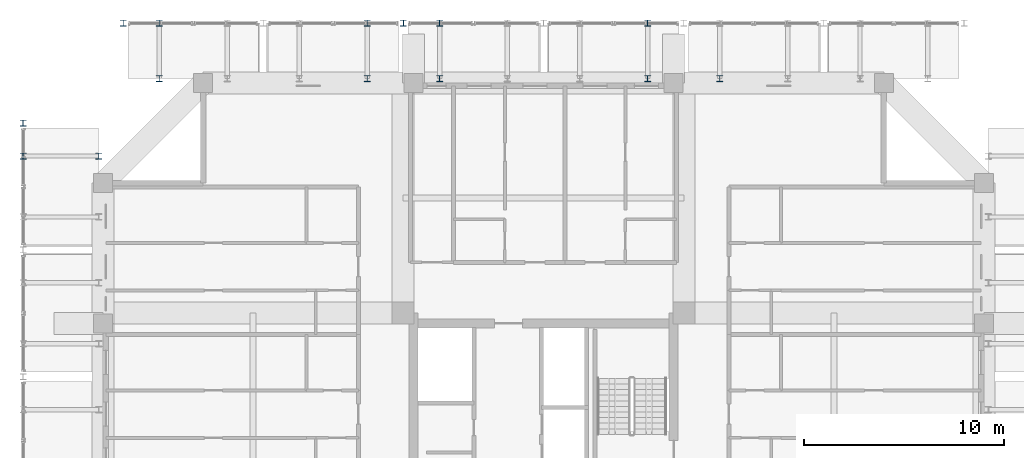
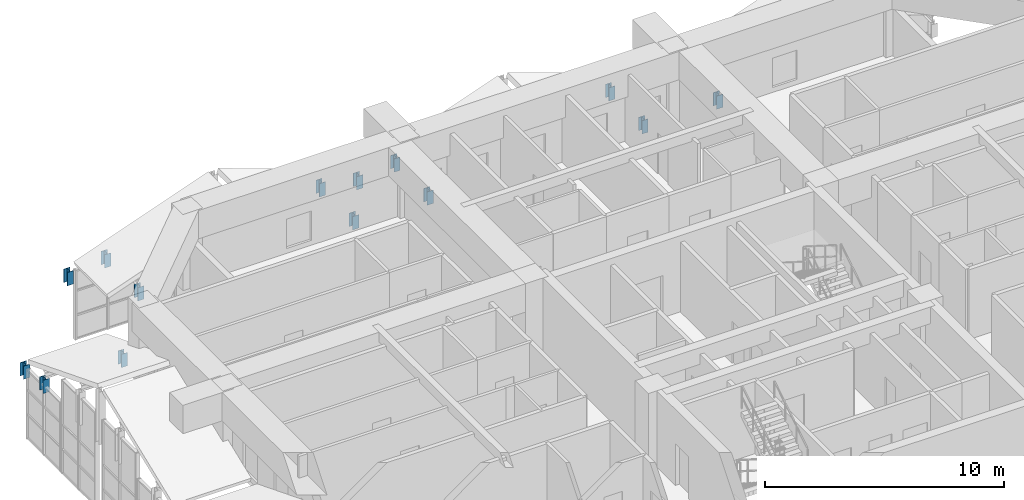
# One storey, part 30 of 45: 14 members.
"""IFC4 building model written with IfcOpenShell, lengths in metres."""

import ifcopenshell
import ifcopenshell.guid

model = None  # the IFC model being written
_history = None  # IfcOwnerHistory: only IFC2X3 demands one
_inside = {}  # id of a spatial element -> (the spatial element, [elements in it])
_under = {}  # id of a project, library or spatial element -> (it, [spatial elements below it])
_declared = {}  # id of a project -> (the project, [libraries it declares])
_typed = {}  # id of a type object -> (the type object, [elements of that type])
_made_of = {}  # id of a material, layer set ... -> (it, [elements and type objects made of it])


def new_model(schema):
    """Start an empty IFC model of exactly this schema.

    Asked for "IFC4X3", IfcOpenShell would pick the latest addendum, in which some entities
    have other attributes; the version numbers below select the first issue.
    IFC2X3 requires an IfcOwnerHistory on every rooted entity: one is made here for all.
    """
    global model, _history
    if schema == "IFC4X3":
        model = ifcopenshell.file(schema_version=(4, 3, 0, 0))
    else:
        model = ifcopenshell.file(schema=schema)
    _inside.clear()
    _under.clear()
    _declared.clear()
    _typed.clear()
    _made_of.clear()
    _history = None
    if model.schema == "IFC2X3":
        org = make("IfcOrganization", Name="unknown")
        user = make(
            "IfcPersonAndOrganization",
            ThePerson=make("IfcPerson", FamilyName="unknown"),
            TheOrganization=org,
        )
        app = make(
            "IfcApplication",
            ApplicationDeveloper=org,
            Version="unknown",
            ApplicationFullName="unknown",
            ApplicationIdentifier="unknown",
        )
        _history = make(
            "IfcOwnerHistory",
            OwningUser=user,
            OwningApplication=app,
            ChangeAction="ADDED",
            CreationDate=0,
        )
    return model


def make(cls, **values):
    """One entity of the class cls with the attributes given. An attribute that is None is left unset."""
    return model.create_entity(
        cls, **{name: value for name, value in values.items() if value is not None}
    )


def rooted(cls, **values):
    """An entity with a GlobalId (a new one), such as an element, a storey or a relation."""
    return make(cls, GlobalId=ifcopenshell.guid.new(), OwnerHistory=_history, **values)


def si_unit(unit_type, name, prefix=None):
    """IfcSIUnit, for example si_unit("LENGTHUNIT", "METRE", prefix="MILLI")."""
    return make("IfcSIUnit", UnitType=unit_type, Prefix=prefix, Name=name)


def assignment(units):
    """IfcUnitAssignment: the units of a project."""
    return None if units is None else make("IfcUnitAssignment", Units=units)


def point(xyz):
    """IfcCartesianPoint."""
    return None if xyz is None else make("IfcCartesianPoint", Coordinates=xyz)


def direction(xyz):
    """IfcDirection."""
    return None if xyz is None else make("IfcDirection", DirectionRatios=xyz)


def frame(location, z_axis=None, x_axis=None):
    """IfcAxis2Placement3D, a coordinate frame: its origin and axes. An axis left out is left unset."""
    return make(
        "IfcAxis2Placement3D",
        Location=point(location),
        Axis=direction(z_axis),
        RefDirection=direction(x_axis),
    )


def frame_2d(location, x_axis=None):
    """IfcAxis2Placement2D, a coordinate frame in the plane: its origin and x axis."""
    return make(
        "IfcAxis2Placement2D", Location=point(location), RefDirection=direction(x_axis)
    )


def origin():
    """The frame at (0, 0, 0) with its axes left unset."""
    return frame((0.0, 0.0, 0.0))


def origin_2d():
    """The frame at (0, 0) in the plane with its x axis left unset."""
    return frame_2d((0.0, 0.0))


def place(relative_to, where):
    """IfcLocalPlacement: puts the frame where relative to a parent placement (None: the world)."""
    return make(
        "IfcLocalPlacement", PlacementRelTo=relative_to, RelativePlacement=where
    )


def context(
    kind, dimensions, precision=None, world=None, true_north=None, identifier=None
):
    """IfcGeometricRepresentationContext, for example the 3D "Model" context."""
    return make(
        "IfcGeometricRepresentationContext",
        ContextIdentifier=identifier,
        ContextType=kind,
        CoordinateSpaceDimension=dimensions,
        Precision=precision,
        WorldCoordinateSystem=world,
        TrueNorth=true_north,
    )


def subcontext(parent, identifier, kind, view, scale=None):
    """IfcGeometricRepresentationSubContext, for example "Body" below "Model"."""
    return make(
        "IfcGeometricRepresentationSubContext",
        ContextIdentifier=identifier,
        ContextType=kind,
        ParentContext=parent,
        TargetScale=scale,
        TargetView=view,
    )


def project(units=None, contexts=None):
    """IfcProject with its units and contexts."""
    return rooted(
        "IfcProject",
        Name="project",
        RepresentationContexts=contexts,
        UnitsInContext=assignment(units),
    )


def spatial(cls, under=None, at=None, **own):
    """A site, building, storey or space (cls), placed at a placement, below another one or the project."""
    s = rooted(cls, ObjectPlacement=at, **own)
    if under is not None:
        _under.setdefault(under.id(), (under, []))[1].append(s)
    return s


def profile(cls, at=None, kind="AREA", **sizes):
    """A parametric profile (cls). Its sizes go by their IFC names, for example OverallWidth=200.0."""
    return make(cls, ProfileType=kind, Position=at, **sizes)


def i_section(**sizes):
    """IfcIShapeProfileDef."""
    return profile("IfcIShapeProfileDef", **sizes)


def extrude(swept, where, along, depth):
    """IfcExtrudedAreaSolid: the profile swept, set in the frame where, extruded along a direction by depth."""
    return make(
        "IfcExtrudedAreaSolid",
        SweptArea=swept,
        Position=where,
        ExtrudedDirection=direction(along),
        Depth=depth,
    )


def shape(context_of_items, identifier, shape_type, items):
    """IfcShapeRepresentation: the items that make up one representation, for example the "Body"."""
    return make(
        "IfcShapeRepresentation",
        ContextOfItems=context_of_items,
        RepresentationIdentifier=identifier,
        RepresentationType=shape_type,
        Items=items,
    )


def source(mapping_origin, context_of_items, identifier, shape_type, items):
    """IfcRepresentationMap: a shape defined once, which mapped items show again and again."""
    return make(
        "IfcRepresentationMap",
        MappingOrigin=mapping_origin,
        MappedRepresentation=shape(context_of_items, identifier, shape_type, items),
    )


def transform(
    local_origin,
    x_axis=None,
    y_axis=None,
    z_axis=None,
    scale=None,
    scale2=None,
    scale3=None,
    uniform=True,
):
    """IfcCartesianTransformationOperator3D, or its non-uniform kind. x_axis, y_axis, z_axis: its Axis1, 2, 3."""
    if uniform:
        return make(
            "IfcCartesianTransformationOperator3D",
            Axis1=direction(x_axis),
            Axis2=direction(y_axis),
            LocalOrigin=point(local_origin),
            Scale=scale,
            Axis3=direction(z_axis),
        )
    return make(
        "IfcCartesianTransformationOperator3DnonUniform",
        Axis1=direction(x_axis),
        Axis2=direction(y_axis),
        LocalOrigin=point(local_origin),
        Scale=scale,
        Axis3=direction(z_axis),
        Scale2=scale2,
        Scale3=scale3,
    )


def mapped(mapping_source, mapping_target):
    """IfcMappedItem: shows the shape of a source again, moved by a transform."""
    return make(
        "IfcMappedItem", MappingSource=mapping_source, MappingTarget=mapping_target
    )


def material(Name=None, Category=None):
    """IfcMaterial."""
    return make("IfcMaterial", Name=Name, Category=Category)


def material_profile(
    of_material, cross_section, Name=None, Category=None, Priority=None
):
    """IfcMaterialProfile: a cross section and its material."""
    return make(
        "IfcMaterialProfile",
        Name=Name,
        Material=of_material,
        Profile=cross_section,
        Priority=Priority,
        Category=Category,
    )


def profile_set(profiles, Name=None, composite=None):
    """IfcMaterialProfileSet."""
    return make(
        "IfcMaterialProfileSet",
        Name=Name,
        MaterialProfiles=profiles,
        CompositeProfile=composite,
    )


def made_of(thing, what):
    """Note that an element or type object is made of a material, layer set ...; save() writes the relation."""
    if what is not None:
        _made_of.setdefault(what.id(), (what, []))[1].append(thing)
    return thing


def type_object(cls, material=None, **own):
    """A type object (cls), such as IfcWallType, which elements share."""
    return made_of(rooted(cls, **own), material)


def element(
    cls,
    number,
    at=None,
    inside=None,
    cuts=None,
    type_object=None,
    material=None,
    context=None,
    identifier="Body",
    shape_type=None,
    held_by="IfcProductDefinitionShape",
    body=None,
    shapes=None,
    **own,
):
    """One element of the class cls, such as IfcWall. Its Tag is "e" and its number.

    at: its placement. inside: the storey or other place that contains it. cuts: it is an
    opening in that element (IfcRelVoidsElement). A single representation is given by context,
    identifier, shape_type and body (its items); several are given by shapes. held_by: the class
    of the entity that holds the representations. save() writes the other relations.
    """
    e = rooted(cls, Tag="e%d" % number, ObjectPlacement=at, **own)
    if body is not None:
        shapes = [shape(context, identifier, shape_type, body)]
    if shapes is not None:
        e.Representation = make(held_by, Representations=shapes)
    if inside is not None:
        _inside.setdefault(inside.id(), (inside, []))[1].append(e)
    if cuts is not None:
        rooted(
            "IfcRelVoidsElement", RelatingBuildingElement=cuts, RelatedOpeningElement=e
        )
    if type_object is not None:
        _typed.setdefault(type_object.id(), (type_object, []))[1].append(e)
    return made_of(e, material)


def aggregate(whole, parts):
    """IfcRelAggregates: a whole, such as a stair, and the parts it consists of."""
    return rooted("IfcRelAggregates", RelatingObject=whole, RelatedObjects=parts)


def save(model, path):
    """Write the relations noted so far, then the file.

    IfcRelAggregates (storeys below a building ...), IfcRelContainedInSpatialStructure (elements
    in a storey), IfcRelDefinesByType, IfcRelAssociatesMaterial and IfcRelDeclares: one each for
    every whole, place, type object, material and project.
    """
    for whole, parts in _under.values():
        aggregate(whole, parts)
    for where, things in _inside.values():
        rooted(
            "IfcRelContainedInSpatialStructure",
            RelatedElements=things,
            RelatingStructure=where,
        )
    for kind, things in _typed.values():
        rooted("IfcRelDefinesByType", RelatedObjects=things, RelatingType=kind)
    for what, things in _made_of.values():
        rooted("IfcRelAssociatesMaterial", RelatedObjects=things, RelatingMaterial=what)
    for by, libraries in _declared.values():
        rooted("IfcRelDeclares", RelatingContext=by, RelatedDefinitions=libraries)
    model.write(path)


model = new_model("IFC4")

# Units and contexts
model_context = context("Model", 3, precision=1e-05, world=origin(), true_north=direction((0.0, 1.0)))
body_context = subcontext(model_context, "Body", "Model", "MODEL_VIEW")
ifc_project = project(units=[si_unit("LENGTHUNIT", "METRE"), si_unit("AREAUNIT", "SQUARE_METRE"), si_unit("VOLUMEUNIT", "CUBIC_METRE"), si_unit("PLANEANGLEUNIT", "RADIAN"), si_unit("MASSUNIT", "GRAM", prefix="KILO")], contexts=[model_context])

# Site, building, storey
site_placement = place(None, origin())
site = spatial("IfcSite", under=ifc_project, at=site_placement, CompositionType="ELEMENT")
building_placement = place(site_placement, origin())
building = spatial("IfcBuilding", under=site, at=building_placement, Name="Saelheon Loggia Tower", CompositionType="ELEMENT")
storey_placement = place(building_placement, frame((0.0, 0.0, 152.199951171875)))
storey = spatial("IfcBuildingStorey", under=building, at=storey_placement, Name="L48", CompositionType="ELEMENT", Elevation=152.199951171875)

# Members
ifc_material = material(Name="Steel SM355", Category="steel")
ifc_material_profile_1 = material_profile(ifc_material, i_section(OverallWidth=0.300048828125, OverallDepth=0.300048828125, WebThickness=0.010009765625, FlangeThickness=0.014892578125, at=origin_2d()), Name="H-300x300x10x15")
ifc_profile_set_1 = profile_set([ifc_material_profile_1], Name="Steel SM355")
member_type_1 = type_object("IfcMemberType", Name="WaveCrest_Post_H300", PredefinedType="POST", material=ifc_profile_set_1)
shared_shape_1 = source(origin(), body_context, "Body", "SweptSolid", [
    extrude(i_section(OverallWidth=0.300048828125, OverallDepth=0.300048828125, WebThickness=0.010009765625, FlangeThickness=0.014892578125, at=origin_2d()), origin(), (0.0, 0.0, 1.0), 0.679931640625),
])
for number, where, z_axis, x_axis, name in (
    (1, (12.0, 46.0, -0.47998046875), (0.0, 0.0, 1.0), (1.0, 0.0, 0.0), "Tier 1 Wave Crest Upper Post W 06"),
    (2, (17.0, 51.0, -0.47998046875), (0.0, 0.0, 1.0), (1.0, 0.0, 0.0), "Tier 1 Wave Crest Upper Post N 00"),
    (3, (31.0, 51.0, -0.47998046875), (0.0, 0.0, 1.0), (1.0, 0.0, 0.0), "Tier 1 Wave Crest Upper Post N 02"),
    (4, (18.8046875, 51.0, -0.203857421875), (0.0, 0.0, 1.0), (1.0, 0.0, 0.0), "Tier 1 Rafter Outer Upper Post N 01"),
):
    element("IfcMember", number, at=place(storey_placement, frame(where, z_axis=z_axis, x_axis=x_axis)), inside=storey, type_object=member_type_1, Name=name, PredefinedType="POST", context=body_context, shape_type="MappedRepresentation", body=[
        mapped(shared_shape_1, transform((0.0, 0.0, 0.0), scale=1.0)),
    ])
ifc_material_profile_2 = material_profile(ifc_material, i_section(OverallWidth=0.300048828125, OverallDepth=0.300048828125, WebThickness=0.010009765625, FlangeThickness=0.014892578125, at=origin_2d()), Name="H-300x300x10x15")
ifc_profile_set_2 = profile_set([ifc_material_profile_2], Name="Steel SM355")
member_type_2 = type_object("IfcMemberType", Name="Belt_Post_H300", PredefinedType="POST", material=ifc_profile_set_2)
member_1_placement = place(storey_placement, frame((18.8046875, 48.219970703125, -0.203857421875), z_axis=(0.0, 0.0, 1.0), x_axis=(1.0, 0.0, 0.0)))
element("IfcMember", 5, at=member_1_placement, inside=storey, type_object=member_type_2, Name="Tier 1 Rafter Inner Post N 01", PredefinedType="POST", context=body_context, shape_type="MappedRepresentation", body=[
    mapped(shared_shape_1, transform((0.0, 0.0, 0.0), scale=1.0)),
])
member_2_placement = place(storey_placement, frame((29.1953125, 51.0, -0.203857421875), z_axis=(0.0, 0.0, 1.0), x_axis=(1.0, 0.0, 0.0)))
element("IfcMember", 6, at=member_2_placement, inside=storey, type_object=member_type_1, Name="Tier 1 Rafter Outer Upper Post N 02", PredefinedType="POST", context=body_context, shape_type="MappedRepresentation", body=[
    mapped(shared_shape_1, transform((0.0, 0.0, 0.0), scale=1.0)),
])
member_3_placement = place(storey_placement, frame((29.1953125, 48.219970703125, -0.203857421875), z_axis=(0.0, 0.0, 1.0), x_axis=(1.0, 0.0, 0.0)))
element("IfcMember", 7, at=member_3_placement, inside=storey, type_object=member_type_2, Name="Tier 1 Rafter Inner Post N 02", PredefinedType="POST", context=body_context, shape_type="MappedRepresentation", body=[
    mapped(shared_shape_1, transform((0.0, 0.0, 0.0), scale=1.0)),
])
member_4_placement = place(storey_placement, frame((32.8046875, 51.0, -0.203857421875), z_axis=(0.0, 0.0, 1.0), x_axis=(1.0, 0.0, 0.0)))
element("IfcMember", 8, at=member_4_placement, inside=storey, type_object=member_type_1, Name="Tier 1 Rafter Outer Upper Post N 03", PredefinedType="POST", context=body_context, shape_type="MappedRepresentation", body=[
    mapped(shared_shape_1, transform((0.0, 0.0, 0.0), scale=1.0)),
])
member_5_placement = place(storey_placement, frame((32.8046875, 48.219970703125, -0.203857421875), z_axis=(0.0, 0.0, 1.0), x_axis=(1.0, 0.0, 0.0)))
element("IfcMember", 9, at=member_5_placement, inside=storey, type_object=member_type_2, Name="Tier 1 Rafter Inner Post N 03", PredefinedType="POST", context=body_context, shape_type="MappedRepresentation", body=[
    mapped(shared_shape_1, transform((0.0, 0.0, 0.0), scale=1.0)),
])
member_6_placement = place(storey_placement, frame((43.1953125, 51.0, -0.203857421875), z_axis=(0.0, 0.0, 1.0), x_axis=(1.0, 0.0, 0.0)))
element("IfcMember", 10, at=member_6_placement, inside=storey, type_object=member_type_1, Name="Tier 1 Rafter Outer Upper Post N 04", PredefinedType="POST", context=body_context, shape_type="MappedRepresentation", body=[
    mapped(shared_shape_1, transform((0.0, 0.0, 0.0), scale=1.0)),
])
for number, where, z_axis, x_axis, name in (
    (11, (43.1953125, 48.219970703125, -0.203857421875), (0.0, 0.0, 1.0), (1.0, 0.0, 0.0), "Tier 1 Rafter Inner Post N 04"),
    (12, (46.8046875, 48.219970703125, -0.203857421875), (0.0, 0.0, 1.0), (1.0, 0.0, 0.0), "Tier 1 Rafter Inner Post N 05"),
):
    element("IfcMember", number, at=place(storey_placement, frame(where, z_axis=z_axis, x_axis=x_axis)), inside=storey, type_object=member_type_2, Name=name, PredefinedType="POST", context=body_context, shape_type="MappedRepresentation", body=[
        mapped(shared_shape_1, transform((0.0, 0.0, 0.0), scale=1.0)),
    ])
shared_shape_2 = source(origin(), body_context, "Body", "SweptSolid", [
    extrude(i_section(OverallWidth=0.300048828125, OverallDepth=0.300048828125, WebThickness=0.010009765625, FlangeThickness=0.014892578125, at=origin_2d()), origin(), (0.0, 0.0, 1.0), 0.68017578125),
])
member_7_placement = place(storey_placement, frame((12.0, 44.355224609375, -0.2080078125), z_axis=(0.0, 0.0, 1.0), x_axis=(1.0, 0.0, 0.0)))
element("IfcMember", 13, at=member_7_placement, inside=storey, type_object=member_type_1, Name="Tier 1 Rafter Outer Upper Post W 06", PredefinedType="POST", context=body_context, shape_type="MappedRepresentation", body=[
    mapped(shared_shape_2, transform((0.0, 0.0, 0.0), scale=1.0)),
])
member_8_placement = place(storey_placement, frame((15.780029296875, 44.355224609375, -0.2080078125), z_axis=(0.0, 0.0, 1.0), x_axis=(1.0, 0.0, 0.0)))
element("IfcMember", 14, at=member_8_placement, inside=storey, type_object=member_type_2, Name="Tier 1 Rafter Inner Post W 06", PredefinedType="POST", context=body_context, shape_type="MappedRepresentation", body=[
    mapped(shared_shape_2, transform((0.0, 0.0, 0.0), scale=1.0)),
])

save(model, "model.ifc")
